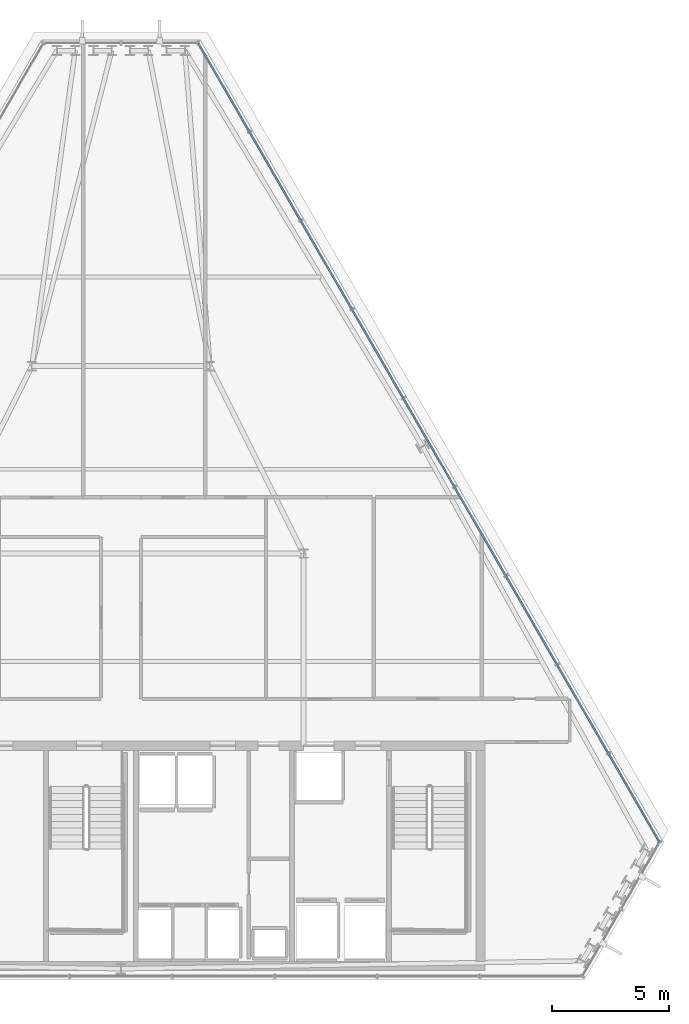
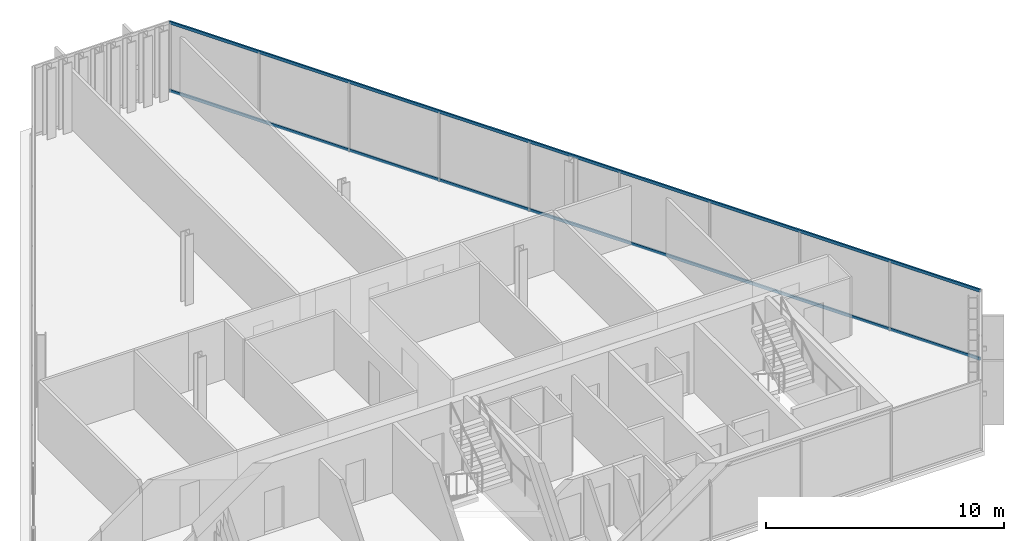
# One storey, part 18 of 29: 2 members, 1 element without a shape of its own.
"""IFC4 building model written with IfcOpenShell, lengths in metres."""

from ifc_helpers import new_model, si_unit, direction, frame, origin, origin_2d, place, context, subcontext, project, spatial, hollow_rectangle, extrude, material, layer, layer_set, material_profile, profile_set, type_object, element, aggregate, save


model = new_model("IFC4")

# Units and contexts
model_context = context("Model", 3, precision=1e-05, world=origin(), true_north=direction((0.0, 1.0)))
body_context = subcontext(model_context, "Body", "Model", "MODEL_VIEW")
ifc_project = project(units=[si_unit("LENGTHUNIT", "METRE"), si_unit("AREAUNIT", "SQUARE_METRE"), si_unit("VOLUMEUNIT", "CUBIC_METRE"), si_unit("PLANEANGLEUNIT", "RADIAN"), si_unit("MASSUNIT", "GRAM", prefix="KILO")], contexts=[model_context])

# Site, building, storey
site_placement = place(None, origin())
site = spatial("IfcSite", under=ifc_project, at=site_placement, CompositionType="ELEMENT")
building_placement = place(site_placement, origin())
building = spatial("IfcBuilding", under=site, at=building_placement, Name="Ndaravel Arena Tower", CompositionType="ELEMENT")
storey_placement = place(building_placement, frame((0.0, 0.0, 240.800048828125)))
storey = spatial("IfcBuildingStorey", under=building, at=storey_placement, Name="L58", CompositionType="ELEMENT", Elevation=240.800048828125)

# Curtain wall, members
ifc_material_1 = material(Name="Aluminium", Category="aluminium")
ifc_layer = layer(ifc_material_1, 0.179931640625)
ifc_layer_set = layer_set([ifc_layer], Name="Aluminium")
curtain_wall_type = type_object("IfcCurtainWallType", Name="CW-SYS-03", PredefinedType="NOTDEFINED", material=ifc_layer_set)
curtain_wall_placement = place(storey_placement, origin())
curtain_wall = element("IfcCurtainWall", 1, at=curtain_wall_placement, inside=storey, type_object=curtain_wall_type, Name="L58 Faceted Crystal Curtain Wall CW-L58-E03", PredefinedType="NOTDEFINED")
ifc_material_2 = material(Name="Aluminium", Category="aluminium")
ifc_material_profile = material_profile(ifc_material_2, hollow_rectangle(XDim=0.074951171875, YDim=0.14990234375, WallThickness=0.00390625, at=origin_2d()), Name="CW TRANSOM 75x150x4")
ifc_profile_set = profile_set([ifc_material_profile], Name="Aluminium")
member_type = type_object("IfcMemberType", Name="MEM-CW-TRN150", PredefinedType="USERDEFINED", material=ifc_profile_set)
member_1_placement = place(storey_placement, frame((64.99560546875, 10.882080078125, 0.0400390625), z_axis=(-0.499999339774, 0.866025784966, 0.0), x_axis=(-0.866025784966, -0.499999339774, 0.0)))
member_1 = element("IfcMember", 2, at=member_1_placement, type_object=member_type, Name="CW-L58-E03 Transom 01", ObjectType="TRANSOM", PredefinedType="USERDEFINED", context=body_context, shape_type="SweptSolid", body=[
    extrude(hollow_rectangle(XDim=0.074951171875, YDim=0.14990234375, WallThickness=0.00390625, at=origin_2d()), origin(), (0.0, 0.0, 1.0), 39.3837890625),
])
member_2_placement = place(storey_placement, frame((64.99560546875, 10.882080078125, 3.5400390625), z_axis=(-0.499999339774, 0.866025784966, 0.0), x_axis=(-0.866025784966, -0.499999339774, 0.0)))
member_2 = element("IfcMember", 3, at=member_2_placement, type_object=member_type, Name="CW-L58-E03 Transom 02", ObjectType="TRANSOM", PredefinedType="USERDEFINED", context=body_context, shape_type="SweptSolid", body=[
    extrude(hollow_rectangle(XDim=0.074951171875, YDim=0.14990234375, WallThickness=0.00390625, at=origin_2d()), origin(), (0.0, 0.0, 1.0), 39.3837890625),
])
aggregate(curtain_wall, [member_1, member_2])

save(model, "model.ifc")
